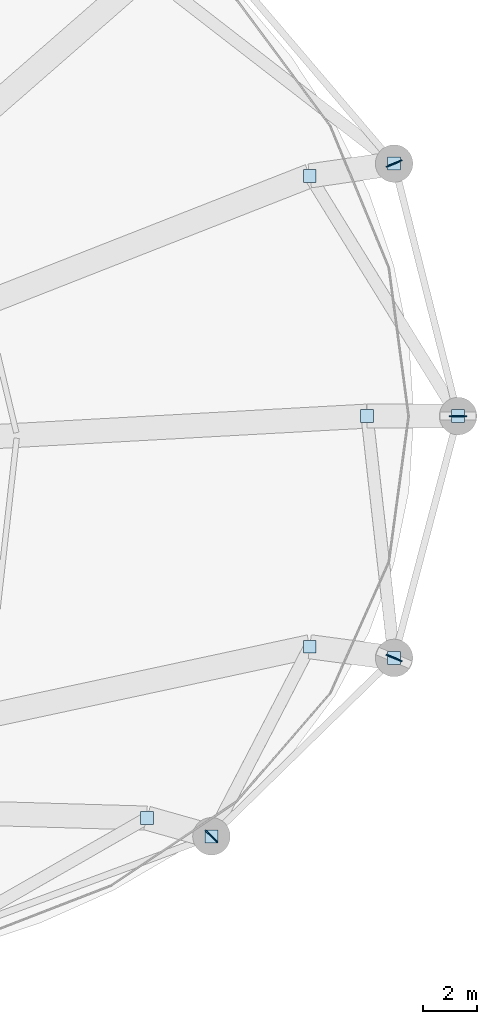
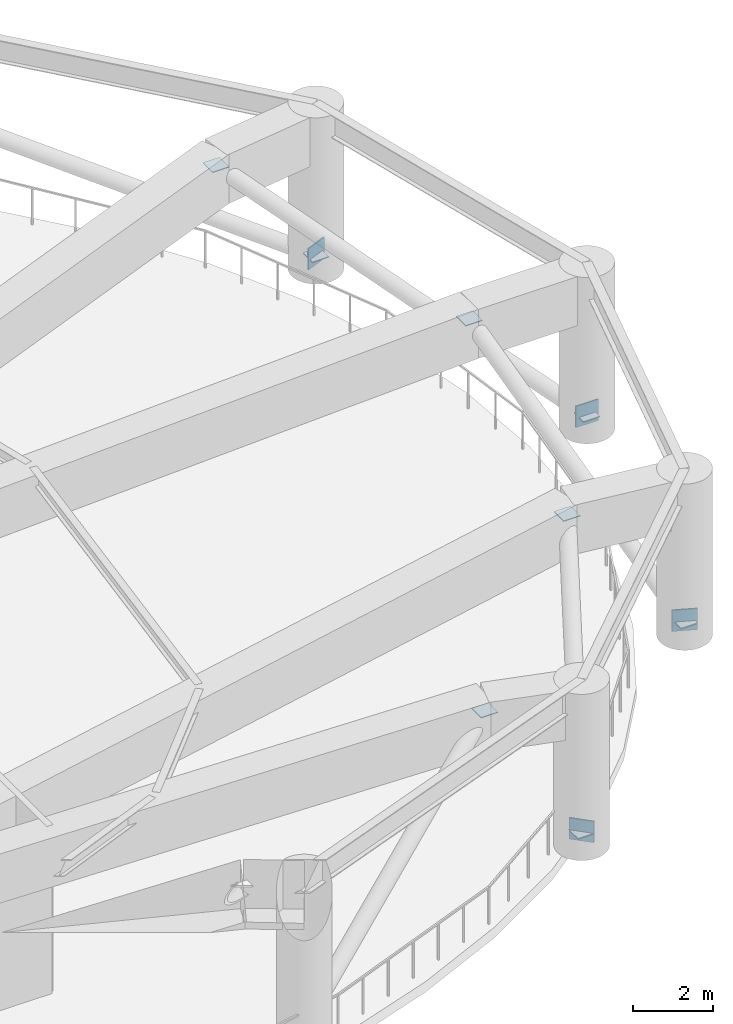
# One storey, part 4 of 9: 12 plates.
"""IFC4 building model written with IfcOpenShell, lengths in metres."""

from ifc_helpers import new_model, si_unit, direction, frame, origin, origin_2d, place, context, subcontext, project, spatial, rectangle, extrude, material, layer, layer_set, type_object, element, save


model = new_model("IFC4")

# Units and contexts
model_context = context("Model", 3, precision=1e-05, world=origin(), true_north=direction((0.0, 1.0)))
body_context = subcontext(model_context, "Body", "Model", "MODEL_VIEW")
ifc_project = project(units=[si_unit("LENGTHUNIT", "METRE"), si_unit("AREAUNIT", "SQUARE_METRE"), si_unit("VOLUMEUNIT", "CUBIC_METRE"), si_unit("PLANEANGLEUNIT", "RADIAN"), si_unit("MASSUNIT", "GRAM", prefix="KILO")], contexts=[model_context])

# Site, building, storey
site_placement = place(None, origin())
site = spatial("IfcSite", under=ifc_project, at=site_placement, CompositionType="ELEMENT")
building_placement = place(site_placement, origin())
building = spatial("IfcBuilding", under=site, at=building_placement, Name="Kazevale Care Tower and Concert Hall", CompositionType="ELEMENT")
storey_placement = place(building_placement, frame((0.0, 0.0, 92.39990234375)))
storey = spatial("IfcBuildingStorey", under=building, at=storey_placement, Name="L24", CompositionType="ELEMENT", Elevation=92.39990234375)

# Plates
ifc_material = material(Name="Steel ASTM A572 Gr 50", Category="steel")
ifc_layer_1 = layer(ifc_material, 0.02490234375)
ifc_layer_set_1 = layer_set([ifc_layer_1], Name="Steel ASTM A572 Gr 50")
plate_type_1 = type_object("IfcPlateType", Name="Hollow Section End Cap Plate 25mm", PredefinedType="USERDEFINED", material=ifc_layer_set_1)
for number, where, z_axis, x_axis, name in (
    (1, (76.449951171875, 38.0, 0.3876953125), (0.0, 0.0, 1.0), (1.0, 0.0, 0.0), "brace:L24:belt:01:cap0"),
    (2, (70.909912109375, 46.969970703125, 4.517578125), (0.0, 0.0, 1.0), (1.0, 0.0, 0.0), "brace:L24:belt:01:cap1"),
    (3, (74.06005859375, 47.429931640625, 0.3876953125), (0.0, 0.0, 1.0), (1.0, 0.0, 0.0), "brace:L24:belt:02:cap0"),
    (4, (64.830078125, 22.989990234375, 4.517578125), (0.0, 0.0, 1.0), (1.0, 0.0, 0.0), "brace:L24:belt:14:cap1"),
    (5, (67.239990234375, 22.31005859375, 0.3876953125), (0.0, 0.0, 1.0), (1.0, 0.0, 0.0), "brace:L24:belt:15:cap0"),
    (6, (70.909912109375, 29.389892578125, 4.517578125), (0.0, 0.0, 1.0), (1.0, 0.0, 0.0), "brace:L24:belt:15:cap1"),
    (7, (74.06005859375, 28.969970703125, 0.3876953125), (0.0, 0.0, 1.0), (1.0, 0.0, 0.0), "brace:L24:belt:16:cap0"),
    (8, (73.050048828125, 38.0, 4.517578125), (0.0, 0.0, 1.0), (1.0, 0.0, 0.0), "brace:L24:belt:16:cap1"),
):
    element("IfcPlate", number, at=place(storey_placement, frame(where, z_axis=z_axis, x_axis=x_axis)), inside=storey, type_object=plate_type_1, Name=name, ObjectType="END_CAP_PLATE", PredefinedType="USERDEFINED", context=body_context, shape_type="SweptSolid", body=[
        extrude(rectangle(XDim=0.47998046875, YDim=0.47998046875, at=origin_2d()), origin(), (0.0, 0.0, 1.0), 0.02490234375),
    ])
ifc_layer_2 = layer(ifc_material, 0.0400390625)
ifc_layer_set_2 = layer_set([ifc_layer_2], Name="Steel ASTM A572 Gr 50")
plate_type_2 = type_object("IfcPlateType", Name="Outrigger & Truss Gusset Plate 40mm", PredefinedType="USERDEFINED", material=ifc_layer_set_2)
for number, where, z_axis, x_axis, name in (
    (9, (76.449951171875, 38.0, 0.125244140625), (0.0, 0.0, 1.0), (1.0, 0.0, 0.0), "plate:L24:gusset:01"),
    (10, (74.06005859375, 47.429931640625, 0.125244140625), (0.0, 0.0, 1.0), (0.923879532511, 0.382683432365, 0.0), "plate:L24:gusset:02"),
    (11, (67.239990234375, 22.31005859375, 0.125244140625), (0.0, 0.0, 1.0), (0.707106781187, -0.707106781187, 0.0), "plate:L24:gusset:15"),
    (12, (74.06005859375, 28.969970703125, 0.125244140625), (0.0, 0.0, 1.0), (0.923879532511, -0.382683432365, 0.0), "plate:L24:gusset:16"),
):
    element("IfcPlate", number, at=place(storey_placement, frame(where, z_axis=z_axis, x_axis=x_axis)), inside=storey, type_object=plate_type_2, Name=name, ObjectType="GUSSET_PLATE", PredefinedType="USERDEFINED", context=body_context, shape_type="SweptSolid", body=[
        extrude(rectangle(XDim=0.64990234375, YDim=0.0400390625, at=origin_2d()), origin(), (0.0, 0.0, 1.0), 0.64990234375),
    ])

save(model, "model.ifc")
